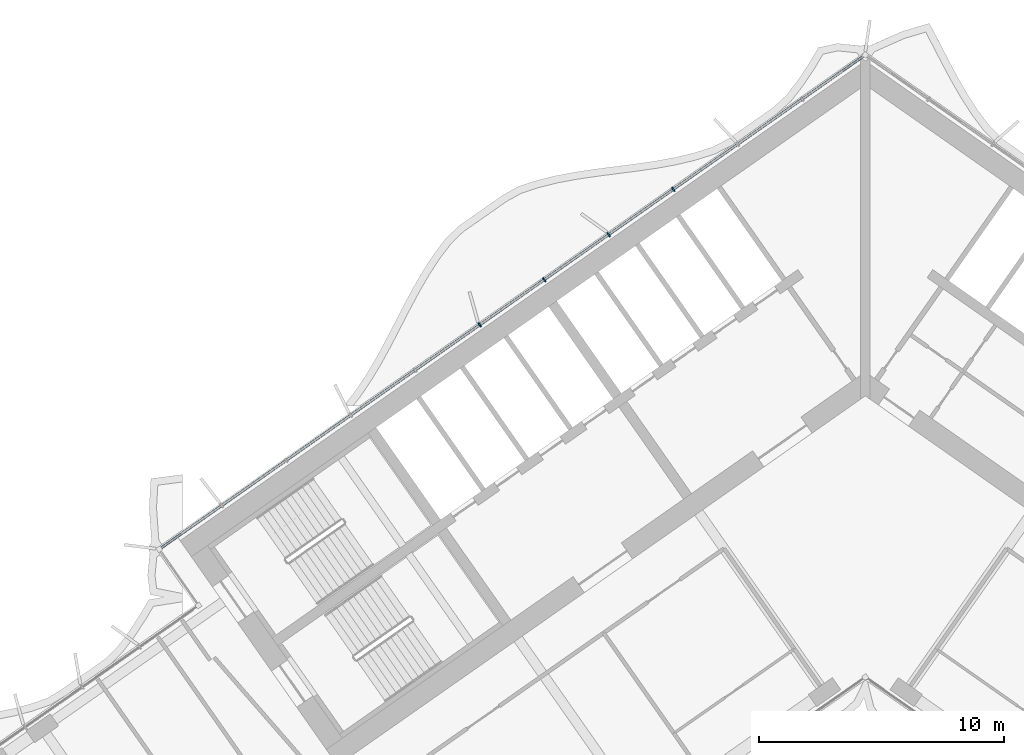
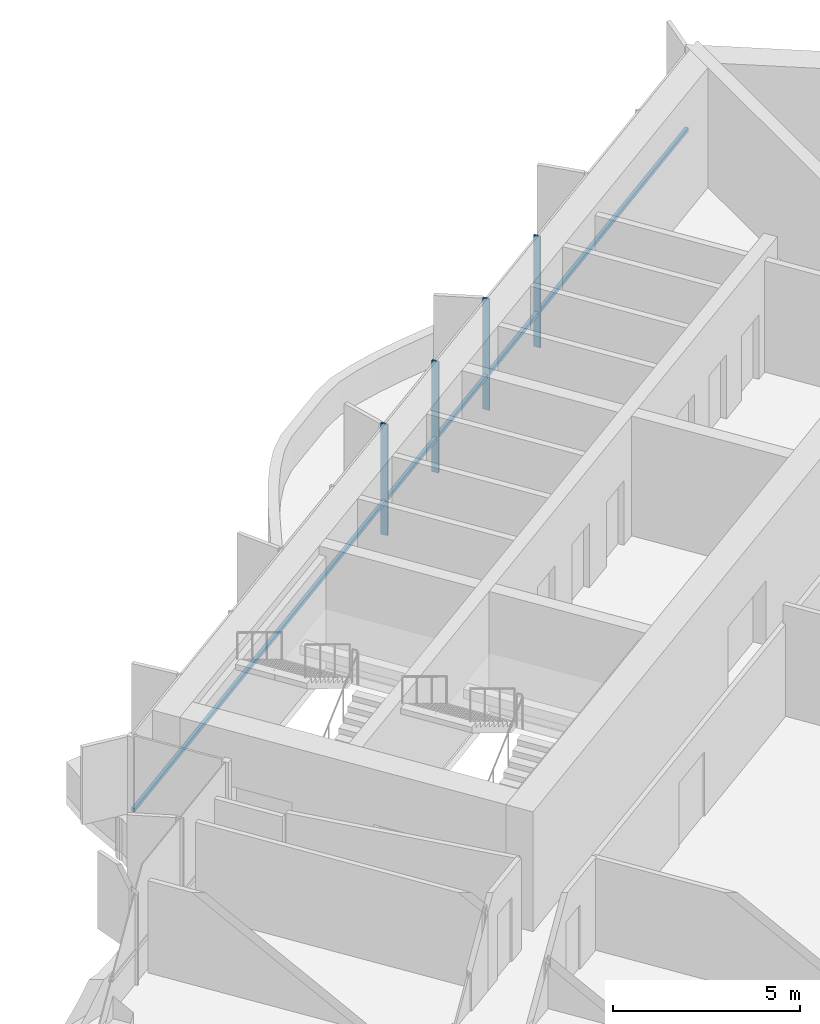
# One storey, part 8 of 23: 5 members, 1 element without a shape of its own.
"""IFC4 building model written with IfcOpenShell, lengths in metres."""

from ifc_helpers import new_model, si_unit, direction, frame, origin, origin_2d, place, context, subcontext, project, spatial, rectangle, extrude, material, material_profile, profile_set, type_object, element, aggregate, save


model = new_model("IFC4")

# Units and contexts
model_context = context("Model", 3, precision=1e-05, world=origin(), true_north=direction((0.0, 1.0)))
body_context = subcontext(model_context, "Body", "Model", "MODEL_VIEW")
ifc_project = project(units=[si_unit("LENGTHUNIT", "METRE"), si_unit("AREAUNIT", "SQUARE_METRE"), si_unit("VOLUMEUNIT", "CUBIC_METRE"), si_unit("PLANEANGLEUNIT", "RADIAN"), si_unit("MASSUNIT", "GRAM", prefix="KILO")], contexts=[model_context])

# Site, building, storey
site_placement = place(None, origin())
site = spatial("IfcSite", under=ifc_project, at=site_placement, CompositionType="ELEMENT")
building_placement = place(site_placement, origin())
building = spatial("IfcBuilding", under=site, at=building_placement, Name="Tel Ilan Convention Tower", CompositionType="ELEMENT")
storey_placement = place(building_placement, frame((0.0, 0.0, 178.800048828125)))
storey = spatial("IfcBuildingStorey", under=building, at=storey_placement, Name="L41", CompositionType="ELEMENT", Elevation=178.800048828125)

# Curtain wall, members
ifc_material_1 = material(Name="Aluminium, bronze anodised", Category="aluminium")
curtain_wall_type = type_object("IfcCurtainWallType", Name="CW2 STICK CURTAIN WALL, SPANDREL PANELS", PredefinedType="NOTDEFINED", material=ifc_material_1)
curtain_wall_placement = place(storey_placement, origin())
curtain_wall = element("IfcCurtainWall", 1, at=curtain_wall_placement, inside=storey, type_object=curtain_wall_type, Name="Curtain wall CW2-31.01", PredefinedType="NOTDEFINED")
ifc_material_2 = material(Name="Aluminium, bronze anodised", Category="aluminium")
ifc_material_profile_1 = material_profile(ifc_material_2, rectangle(XDim=0.06005859375, YDim=0.199951171875, at=origin_2d()), Name="CW MULLION 60x200")
ifc_profile_set_1 = profile_set([ifc_material_profile_1], Name="Aluminium, bronze anodised")
member_type_1 = type_object("IfcMemberType", Name="CW MULLION 60x200", PredefinedType="MULLION", material=ifc_profile_set_1)
member_1_placement = place(storey_placement, frame((-7.840576171875, 7.2060546875, 0.0), z_axis=(0.0, 0.0, 1.0), x_axis=(-0.819152044289, -0.573576436351, 0.0)))
member_1 = element("IfcMember", 2, at=member_1_placement, type_object=member_type_1, Name="Mullion", PredefinedType="MULLION", context=body_context, shape_type="SweptSolid", body=[
    extrude(rectangle(XDim=0.06005859375, YDim=0.199951171875, at=origin_2d()), origin(), (0.0, 0.0, 1.0), 3.619873046875),
])
member_2_placement = place(storey_placement, frame((-10.47314453125, 5.36279296875, 0.0), z_axis=(0.0, 0.0, 1.0), x_axis=(-0.819152044289, -0.573576436351, 0.0)))
member_2 = element("IfcMember", 3, at=member_2_placement, type_object=member_type_1, Name="Mullion", PredefinedType="MULLION", context=body_context, shape_type="SweptSolid", body=[
    extrude(rectangle(XDim=0.06005859375, YDim=0.199951171875, at=origin_2d()), origin(), (0.0, 0.0, 1.0), 3.619873046875),
])
member_3_placement = place(storey_placement, frame((-13.105712890625, 3.519287109375, 0.0), z_axis=(0.0, 0.0, 1.0), x_axis=(-0.819152044289, -0.573576436351, 0.0)))
member_3 = element("IfcMember", 4, at=member_3_placement, type_object=member_type_1, Name="Mullion", PredefinedType="MULLION", context=body_context, shape_type="SweptSolid", body=[
    extrude(rectangle(XDim=0.06005859375, YDim=0.199951171875, at=origin_2d()), origin(), (0.0, 0.0, 1.0), 3.619873046875),
])
member_4_placement = place(storey_placement, frame((-15.73828125, 1.676025390625, 0.0), z_axis=(0.0, 0.0, 1.0), x_axis=(-0.819152044289, -0.573576436351, 0.0)))
member_4 = element("IfcMember", 5, at=member_4_placement, type_object=member_type_1, Name="Mullion", PredefinedType="MULLION", context=body_context, shape_type="SweptSolid", body=[
    extrude(rectangle(XDim=0.06005859375, YDim=0.199951171875, at=origin_2d()), origin(), (0.0, 0.0, 1.0), 3.619873046875),
])
ifc_material_3 = material(Name="Aluminium, bronze anodised", Category="aluminium")
ifc_material_profile_2 = material_profile(ifc_material_3, rectangle(XDim=0.10009765625, YDim=0.1201171875, at=origin_2d()), Name="CW TRANSOM 100x120")
ifc_profile_set_2 = profile_set([ifc_material_profile_2], Name="Aluminium, bronze anodised")
member_type_2 = type_object("IfcMemberType", Name="CW TRANSOM 100x120", PredefinedType="USERDEFINED", material=ifc_profile_set_2)
member_5_placement = place(storey_placement, frame((-0.1064453125, 12.62158203125, 1.099853515625), z_axis=(-0.819150201937, -0.573579067494, 0.0), x_axis=(0.573579067494, -0.819150201937, 0.0)))
member_5 = element("IfcMember", 6, at=member_5_placement, type_object=member_type_2, Name="Transom", ObjectType="TRANSOM", PredefinedType="USERDEFINED", context=body_context, shape_type="SweptSolid", body=[
    extrude(rectangle(XDim=0.10009765625, YDim=0.1201171875, at=origin_2d()), origin(), (0.0, 0.0, 1.0), 34.9521484375),
])
aggregate(curtain_wall, [member_1, member_2, member_3, member_4, member_5])

save(model, "model.ifc")
